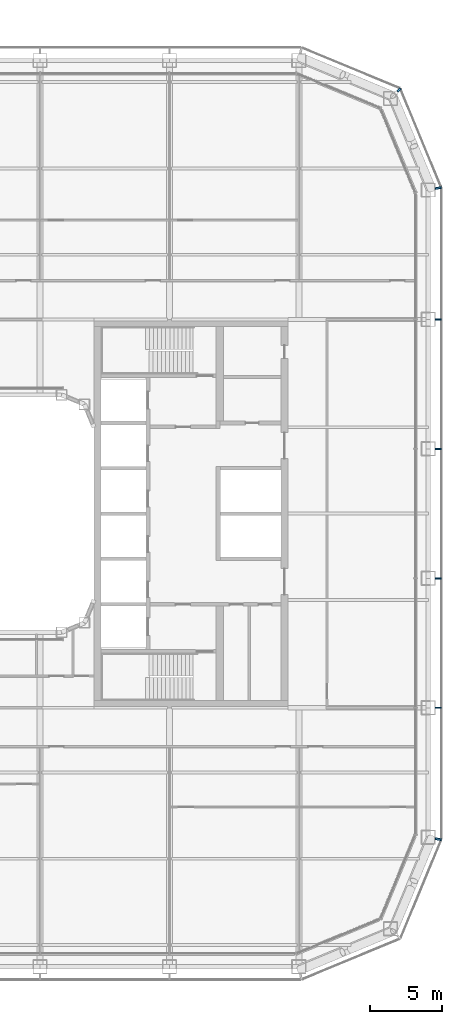
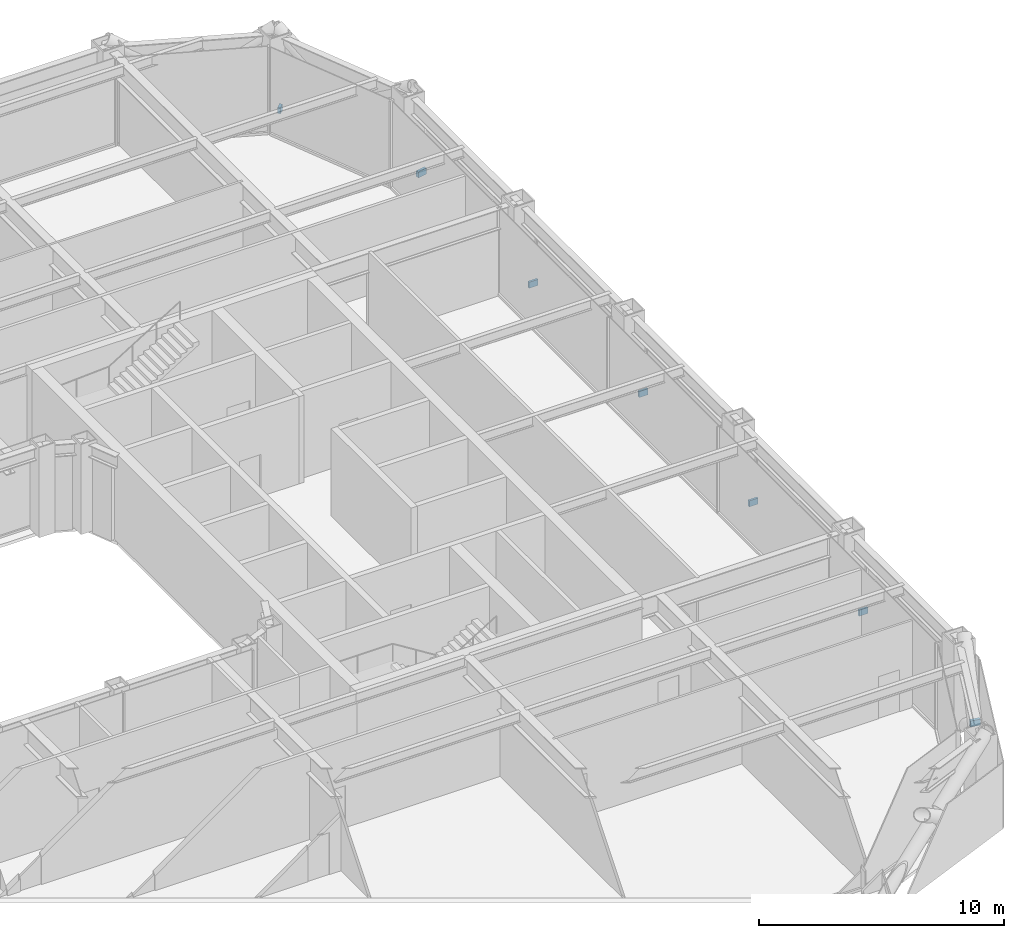
# One storey, part 21 of 29: 7 discrete accessories.
"""IFC4 building model written with IfcOpenShell, lengths in metres."""

from ifc_helpers import new_model, si_unit, direction, frame, origin, origin_2d, place, context, subcontext, project, spatial, rectangle, extrude, material, type_object, element, save


model = new_model("IFC4")

# Units and contexts
model_context = context("Model", 3, precision=1e-05, world=origin(), true_north=direction((0.0, 1.0)))
body_context = subcontext(model_context, "Body", "Model", "MODEL_VIEW")
ifc_project = project(units=[si_unit("LENGTHUNIT", "METRE"), si_unit("AREAUNIT", "SQUARE_METRE"), si_unit("VOLUMEUNIT", "CUBIC_METRE"), si_unit("PLANEANGLEUNIT", "RADIAN"), si_unit("MASSUNIT", "GRAM", prefix="KILO")], contexts=[model_context])

# Site, building, storey
site_placement = place(None, origin())
site = spatial("IfcSite", under=ifc_project, at=site_placement, CompositionType="ELEMENT")
building_placement = place(site_placement, origin())
building = spatial("IfcBuilding", under=site, at=building_placement, Name="Siwar Civic Tower", CompositionType="ELEMENT")
storey_placement = place(building_placement, frame((0.0, 0.0, 67.199951171875)))
storey = spatial("IfcBuildingStorey", under=building, at=storey_placement, Name="L14", CompositionType="ELEMENT", Elevation=67.199951171875)

# Discrete accessories
ifc_material = material(Name="Stainless steel 316", Category="steel")
discrete_accessory_type = type_object("IfcDiscreteAccessoryType", Name="ENV-BRACKET", PredefinedType="BRACKET", material=ifc_material)
for number, where, z_axis, x_axis, name in (
    (1, (32.18994140625, -13.5, -0.14990234375), (0.0, 0.0, 1.0), (1.0, 0.0, 0.0), "Bracket outer skin joint E-01"),
    (2, (32.18994140625, -4.5, -0.14990234375), (0.0, 0.0, 1.0), (1.0, 0.0, 0.0), "Bracket outer skin joint E-02"),
    (3, (32.18994140625, 4.5, -0.14990234375), (0.0, 0.0, 1.0), (1.0, 0.0, 0.0), "Bracket outer skin joint E-03"),
    (4, (32.18994140625, 13.5, -0.14990234375), (0.0, 0.0, 1.0), (1.0, 0.0, 0.0), "Bracket outer skin joint E-04"),
):
    element("IfcDiscreteAccessory", number, at=place(storey_placement, frame(where, z_axis=z_axis, x_axis=x_axis)), inside=storey, type_object=discrete_accessory_type, Name=name, PredefinedType="BRACKET", context=body_context, shape_type="SweptSolid", body=[
        extrude(rectangle(XDim=0.419921875, YDim=0.10009765625, at=origin_2d()), origin(), (0.0, 0.0, 1.0), 0.300048828125),
    ])
for number, where, z_axis, x_axis, name in (
    (5, (32.190185546875, -22.63720703125, -0.14990234375), (0.0, 0.0, 1.0), (0.980785280403, -0.195090322016, 0.0), "Bracket outer skin joint V03"),
    (6, (32.190185546875, 22.63720703125, -0.14990234375), (0.0, 0.0, 1.0), (0.980785280403, 0.195090322016, 0.0), "Bracket outer skin joint V04"),
):
    element("IfcDiscreteAccessory", number, at=place(storey_placement, frame(where, z_axis=z_axis, x_axis=x_axis)), inside=storey, type_object=discrete_accessory_type, Name=name, PredefinedType="BRACKET", context=body_context, shape_type="SweptSolid", body=[
        extrude(rectangle(XDim=0.427734375, YDim=0.13720703125, at=origin_2d()), origin(), (0.0, 0.0, 1.0), 0.300048828125),
    ])
discrete_accessory_placement = place(storey_placement, frame((29.451416015625, 29.451416015625, -0.14990234375), z_axis=(0.0, 0.0, 1.0), x_axis=(0.707106781187, 0.707106781187, 0.0)))
element("IfcDiscreteAccessory", 7, at=discrete_accessory_placement, inside=storey, type_object=discrete_accessory_type, Name="Bracket outer skin joint V05", PredefinedType="BRACKET", context=body_context, shape_type="SweptSolid", body=[
    extrude(rectangle(XDim=0.287109375, YDim=0.12939453125, at=origin_2d()), origin(), (0.0, 0.0, 1.0), 0.300048828125),
])

save(model, "model.ifc")
